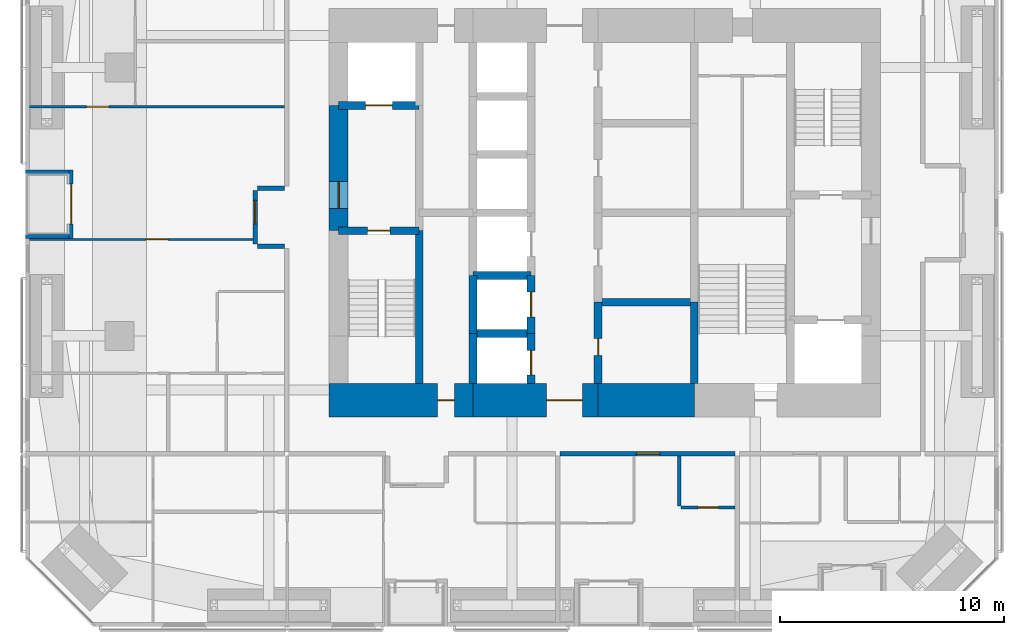
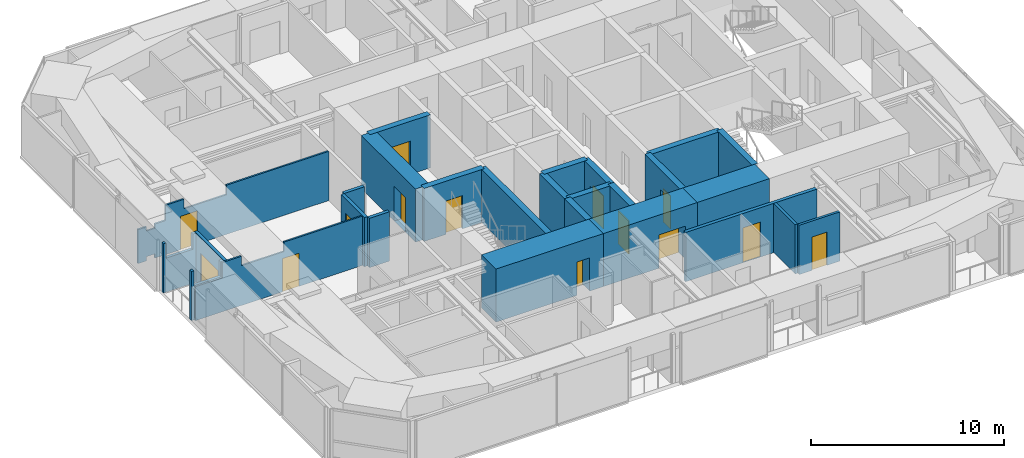
# One storey, part 18 of 24: 27 walls, 14 doors, 14 openings.
"""IFC4 building model written with IfcOpenShell, lengths in metres."""

import ifcopenshell
import ifcopenshell.guid

model = None  # the IFC model being written
_history = None  # IfcOwnerHistory: only IFC2X3 demands one
_inside = {}  # id of a spatial element -> (the spatial element, [elements in it])
_under = {}  # id of a project, library or spatial element -> (it, [spatial elements below it])
_declared = {}  # id of a project -> (the project, [libraries it declares])
_typed = {}  # id of a type object -> (the type object, [elements of that type])
_made_of = {}  # id of a material, layer set ... -> (it, [elements and type objects made of it])


def new_model(schema):
    """Start an empty IFC model of exactly this schema.

    Asked for "IFC4X3", IfcOpenShell would pick the latest addendum, in which some entities
    have other attributes; the version numbers below select the first issue.
    IFC2X3 requires an IfcOwnerHistory on every rooted entity: one is made here for all.
    """
    global model, _history
    if schema == "IFC4X3":
        model = ifcopenshell.file(schema_version=(4, 3, 0, 0))
    else:
        model = ifcopenshell.file(schema=schema)
    _inside.clear()
    _under.clear()
    _declared.clear()
    _typed.clear()
    _made_of.clear()
    _history = None
    if model.schema == "IFC2X3":
        org = make("IfcOrganization", Name="unknown")
        user = make(
            "IfcPersonAndOrganization",
            ThePerson=make("IfcPerson", FamilyName="unknown"),
            TheOrganization=org,
        )
        app = make(
            "IfcApplication",
            ApplicationDeveloper=org,
            Version="unknown",
            ApplicationFullName="unknown",
            ApplicationIdentifier="unknown",
        )
        _history = make(
            "IfcOwnerHistory",
            OwningUser=user,
            OwningApplication=app,
            ChangeAction="ADDED",
            CreationDate=0,
        )
    return model


def make(cls, **values):
    """One entity of the class cls with the attributes given. An attribute that is None is left unset."""
    return model.create_entity(
        cls, **{name: value for name, value in values.items() if value is not None}
    )


def rooted(cls, **values):
    """An entity with a GlobalId (a new one), such as an element, a storey or a relation."""
    return make(cls, GlobalId=ifcopenshell.guid.new(), OwnerHistory=_history, **values)


def si_unit(unit_type, name, prefix=None):
    """IfcSIUnit, for example si_unit("LENGTHUNIT", "METRE", prefix="MILLI")."""
    return make("IfcSIUnit", UnitType=unit_type, Prefix=prefix, Name=name)


def assignment(units):
    """IfcUnitAssignment: the units of a project."""
    return None if units is None else make("IfcUnitAssignment", Units=units)


def point(xyz):
    """IfcCartesianPoint."""
    return None if xyz is None else make("IfcCartesianPoint", Coordinates=xyz)


def direction(xyz):
    """IfcDirection."""
    return None if xyz is None else make("IfcDirection", DirectionRatios=xyz)


def frame(location, z_axis=None, x_axis=None):
    """IfcAxis2Placement3D, a coordinate frame: its origin and axes. An axis left out is left unset."""
    return make(
        "IfcAxis2Placement3D",
        Location=point(location),
        Axis=direction(z_axis),
        RefDirection=direction(x_axis),
    )


def frame_2d(location, x_axis=None):
    """IfcAxis2Placement2D, a coordinate frame in the plane: its origin and x axis."""
    return make(
        "IfcAxis2Placement2D", Location=point(location), RefDirection=direction(x_axis)
    )


def origin():
    """The frame at (0, 0, 0) with its axes left unset."""
    return frame((0.0, 0.0, 0.0))


def place(relative_to, where):
    """IfcLocalPlacement: puts the frame where relative to a parent placement (None: the world)."""
    return make(
        "IfcLocalPlacement", PlacementRelTo=relative_to, RelativePlacement=where
    )


def context(
    kind, dimensions, precision=None, world=None, true_north=None, identifier=None
):
    """IfcGeometricRepresentationContext, for example the 3D "Model" context."""
    return make(
        "IfcGeometricRepresentationContext",
        ContextIdentifier=identifier,
        ContextType=kind,
        CoordinateSpaceDimension=dimensions,
        Precision=precision,
        WorldCoordinateSystem=world,
        TrueNorth=true_north,
    )


def subcontext(parent, identifier, kind, view, scale=None):
    """IfcGeometricRepresentationSubContext, for example "Body" below "Model"."""
    return make(
        "IfcGeometricRepresentationSubContext",
        ContextIdentifier=identifier,
        ContextType=kind,
        ParentContext=parent,
        TargetScale=scale,
        TargetView=view,
    )


def project(units=None, contexts=None):
    """IfcProject with its units and contexts."""
    return rooted(
        "IfcProject",
        Name="project",
        RepresentationContexts=contexts,
        UnitsInContext=assignment(units),
    )


def spatial(cls, under=None, at=None, **own):
    """A site, building, storey or space (cls), placed at a placement, below another one or the project."""
    s = rooted(cls, ObjectPlacement=at, **own)
    if under is not None:
        _under.setdefault(under.id(), (under, []))[1].append(s)
    return s


def polyline(points):
    """IfcPolyline through the points."""
    return make("IfcPolyline", Points=[point(p) for p in points])


def profile(cls, at=None, kind="AREA", **sizes):
    """A parametric profile (cls). Its sizes go by their IFC names, for example OverallWidth=200.0."""
    return make(cls, ProfileType=kind, Position=at, **sizes)


def rectangle(**sizes):
    """IfcRectangleProfileDef."""
    return profile("IfcRectangleProfileDef", **sizes)


def outline(outer, holes=None, kind="AREA"):
    """IfcArbitraryClosedProfileDef: a profile drawn as a closed curve; with holes, ...WithVoids."""
    if holes is None:
        return make("IfcArbitraryClosedProfileDef", ProfileType=kind, OuterCurve=outer)
    return make(
        "IfcArbitraryProfileDefWithVoids",
        ProfileType=kind,
        OuterCurve=outer,
        InnerCurves=holes,
    )


def extrude(swept, where, along, depth):
    """IfcExtrudedAreaSolid: the profile swept, set in the frame where, extruded along a direction by depth."""
    return make(
        "IfcExtrudedAreaSolid",
        SweptArea=swept,
        Position=where,
        ExtrudedDirection=direction(along),
        Depth=depth,
    )


def shape(context_of_items, identifier, shape_type, items):
    """IfcShapeRepresentation: the items that make up one representation, for example the "Body"."""
    return make(
        "IfcShapeRepresentation",
        ContextOfItems=context_of_items,
        RepresentationIdentifier=identifier,
        RepresentationType=shape_type,
        Items=items,
    )


def material(Name=None, Category=None):
    """IfcMaterial."""
    return make("IfcMaterial", Name=Name, Category=Category)


def layer(
    of_material, thickness, ventilated=None, Name=None, Category=None, Priority=None
):
    """IfcMaterialLayer: one layer of a wall or slab, of a material (None: an air gap)."""
    return make(
        "IfcMaterialLayer",
        Material=of_material,
        LayerThickness=thickness,
        IsVentilated=ventilated,
        Name=Name,
        Category=Category,
        Priority=Priority,
    )


def layer_set(layers, Name=None):
    """IfcMaterialLayerSet."""
    return make("IfcMaterialLayerSet", MaterialLayers=layers, LayerSetName=Name)


def constituent(of_material, Name=None, Category=None, fraction=None):
    """IfcMaterialConstituent: one of the materials an element consists of."""
    return make(
        "IfcMaterialConstituent",
        Name=Name,
        Material=of_material,
        Fraction=fraction,
        Category=Category,
    )


def constituent_set(constituents=None, Name=None):
    """IfcMaterialConstituentSet."""
    return make(
        "IfcMaterialConstituentSet", Name=Name, MaterialConstituents=constituents
    )


def made_of(thing, what):
    """Note that an element or type object is made of a material, layer set ...; save() writes the relation."""
    if what is not None:
        _made_of.setdefault(what.id(), (what, []))[1].append(thing)
    return thing


def type_object(cls, material=None, **own):
    """A type object (cls), such as IfcWallType, which elements share."""
    return made_of(rooted(cls, **own), material)


def element(
    cls,
    number,
    at=None,
    inside=None,
    cuts=None,
    type_object=None,
    material=None,
    context=None,
    identifier="Body",
    shape_type=None,
    held_by="IfcProductDefinitionShape",
    body=None,
    shapes=None,
    **own,
):
    """One element of the class cls, such as IfcWall. Its Tag is "e" and its number.

    at: its placement. inside: the storey or other place that contains it. cuts: it is an
    opening in that element (IfcRelVoidsElement). A single representation is given by context,
    identifier, shape_type and body (its items); several are given by shapes. held_by: the class
    of the entity that holds the representations. save() writes the other relations.
    """
    e = rooted(cls, Tag="e%d" % number, ObjectPlacement=at, **own)
    if body is not None:
        shapes = [shape(context, identifier, shape_type, body)]
    if shapes is not None:
        e.Representation = make(held_by, Representations=shapes)
    if inside is not None:
        _inside.setdefault(inside.id(), (inside, []))[1].append(e)
    if cuts is not None:
        rooted(
            "IfcRelVoidsElement", RelatingBuildingElement=cuts, RelatedOpeningElement=e
        )
    if type_object is not None:
        _typed.setdefault(type_object.id(), (type_object, []))[1].append(e)
    return made_of(e, material)


def fill(opening, filler):
    """IfcRelFillsElement: the door or window that sits in an opening."""
    return rooted(
        "IfcRelFillsElement",
        RelatingOpeningElement=opening,
        RelatedBuildingElement=filler,
    )


def aggregate(whole, parts):
    """IfcRelAggregates: a whole, such as a stair, and the parts it consists of."""
    return rooted("IfcRelAggregates", RelatingObject=whole, RelatedObjects=parts)


def save(model, path):
    """Write the relations noted so far, then the file.

    IfcRelAggregates (storeys below a building ...), IfcRelContainedInSpatialStructure (elements
    in a storey), IfcRelDefinesByType, IfcRelAssociatesMaterial and IfcRelDeclares: one each for
    every whole, place, type object, material and project.
    """
    for whole, parts in _under.values():
        aggregate(whole, parts)
    for where, things in _inside.values():
        rooted(
            "IfcRelContainedInSpatialStructure",
            RelatedElements=things,
            RelatingStructure=where,
        )
    for kind, things in _typed.values():
        rooted("IfcRelDefinesByType", RelatedObjects=things, RelatingType=kind)
    for what, things in _made_of.values():
        rooted("IfcRelAssociatesMaterial", RelatedObjects=things, RelatingMaterial=what)
    for by, libraries in _declared.values():
        rooted("IfcRelDeclares", RelatingContext=by, RelatedDefinitions=libraries)
    model.write(path)


model = new_model("IFC4")

# Units and contexts
model_context = context("Model", 3, precision=1e-05, world=origin(), true_north=direction((0.0, 1.0)))
body_context = subcontext(model_context, "Body", "Model", "MODEL_VIEW")
ifc_project = project(units=[si_unit("LENGTHUNIT", "METRE"), si_unit("AREAUNIT", "SQUARE_METRE"), si_unit("VOLUMEUNIT", "CUBIC_METRE"), si_unit("PLANEANGLEUNIT", "RADIAN"), si_unit("MASSUNIT", "GRAM", prefix="KILO")], contexts=[model_context])

# Site, building, storey
site_placement = place(None, origin())
site = spatial("IfcSite", under=ifc_project, at=site_placement, CompositionType="ELEMENT")
building_placement = place(site_placement, origin())
building = spatial("IfcBuilding", under=site, at=building_placement, Name="Jalousie Tower", CompositionType="ELEMENT")
storey_placement = place(building_placement, frame((0.0, 0.0, 91.449951171875)))
storey = spatial("IfcBuildingStorey", under=building, at=storey_placement, Name="L24", CompositionType="ELEMENT", Elevation=91.449951171875)

# Wall, opening, door
ifc_material_1 = material(Name="Concrete block ASTM C90", Category="concrete")
ifc_constituent_1 = constituent(ifc_material_1, Name="Body")
ifc_material_2 = material(Name="Render")
ifc_constituent_2 = constituent(ifc_material_2, Name="Finish")
ifc_constituent_set_1 = constituent_set(constituents=[ifc_constituent_1, ifc_constituent_2])
wall_type_1 = type_object("IfcWallType", Name="BATHROOM WALL 150", PredefinedType="PLUMBINGWALL", material=ifc_constituent_set_1)
wall_1_placement = place(storey_placement, frame((35.300048828125, 5.324951171875, 0.0), z_axis=(0.0, 0.0, 1.0), x_axis=(1.0, 0.0, 0.0)))
wall_1 = element("IfcWall", 1, at=wall_1_placement, inside=storey, type_object=wall_type_1, Name="Bathroom Wall 150 L24", PredefinedType="PLUMBINGWALL", context=body_context, shape_type="SweptSolid", body=[
    extrude(rectangle(XDim=2.425048828125, YDim=0.14990234375, at=frame_2d((1.21240234375, 0.0))), origin(), (0.0, 0.0, 1.0), 3.110107421875),
])
opening_1_placement = place(wall_1_placement, frame((0.77490234375, 0.0, 0.0)))
opening_1 = element("IfcOpeningElement", 2, at=opening_1_placement, cuts=wall_1, Name="Opening D3", PredefinedType="OPENING", context=body_context, shape_type="SweptSolid", body=[
    extrude(rectangle(XDim=0.89990234375, YDim=2.10009765625, at=frame_2d((0.449951171875, 1.050048828125))), frame((0.0, 0.0849609375, 0.0), z_axis=(0.0, -1.0, 0.0), x_axis=(1.0, 0.0, 0.0)), (0.0, 0.0, 1.0), 0.169921875),
])
ifc_material_3 = material(Name="Timber door", Category="wood")
door_type_1 = type_object("IfcDoorType", Name="BATHROOM DOOR 900", OperationType="SINGLE_SWING_LEFT", PredefinedType="DOOR", material=ifc_material_3)
door_1_placement = place(opening_1_placement, origin())
door_1 = element("IfcDoor", 3, at=door_1_placement, inside=storey, type_object=door_type_1, Name="Apartment 2402 bathroom door", OperationType="SINGLE_SWING_RIGHT", OverallHeight=2.10009765625, OverallWidth=0.89990234375, PredefinedType="DOOR", context=body_context, shape_type="SweptSolid", body=[
    extrude(rectangle(XDim=0.89990234375, YDim=2.10009765625, at=frame_2d((0.449951171875, 1.050048828125))), frame((0.0, 0.02490234375, 0.0), z_axis=(0.0, -1.0, 0.0), x_axis=(1.0, 0.0, 0.0)), (0.0, 0.0, 1.0), 0.050048828125),
])
fill(opening_1, door_1)

# Wall
wall_2_placement = place(storey_placement, frame((35.22509765625, 5.39990234375, 0.0), z_axis=(0.0, 0.0, 1.0), x_axis=(0.0, 1.0, 0.0)))
element("IfcWall", 4, at=wall_2_placement, inside=storey, type_object=wall_type_1, Name="Bathroom Wall 150 L24", PredefinedType="PLUMBINGWALL", context=body_context, shape_type="SweptSolid", body=[
    extrude(rectangle(XDim=2.22509765625, YDim=0.14990234375, at=frame_2d((1.112548828125, 0.0))), origin(), (0.0, 0.0, 1.0), 3.110107421875),
])

# Wall, opening, door
ifc_material_4 = material(Name="Concrete f'c 120 MPa", Category="concrete")
ifc_layer_1 = layer(ifc_material_4, 1.5)
ifc_layer_set_1 = layer_set([ifc_layer_1], Name="Concrete f'c 120 MPa")
wall_type_2 = type_object("IfcWallType", Name="CORE WALL 1500", PredefinedType="SHEAR", material=ifc_layer_set_1)
wall_3_placement = place(storey_placement, frame((19.574951171875, 10.125, 0.0), z_axis=(0.0, 0.0, 1.0), x_axis=(1.0, 0.0, 0.0)))
wall_3 = element("IfcWall", 5, at=wall_3_placement, inside=storey, type_object=wall_type_2, Name="Core wall SA L24", PredefinedType="SHEAR", context=body_context, shape_type="SweptSolid", body=[
    extrude(rectangle(XDim=6.425048828125, YDim=1.5, at=frame_2d((3.21240234375, 0.0))), origin(), (0.0, 0.0, 1.0), 3.35009765625),
])
opening_2_placement = place(wall_3_placement, frame((4.85009765625, 0.0, 0.0)))
opening_2 = element("IfcOpeningElement", 6, at=opening_2_placement, cuts=wall_3, Name="Opening D16", PredefinedType="OPENING", context=body_context, shape_type="SweptSolid", body=[
    extrude(rectangle(XDim=0.75, YDim=2.10009765625, at=frame_2d((0.375, 1.050048828125))), frame((0.0, 0.760009765625, 0.0), z_axis=(0.0, -1.0, 0.0), x_axis=(1.0, 0.0, 0.0)), (0.0, 0.0, 1.0), 1.52001953125),
])
ifc_material_5 = material(Name="Steel fire door", Category="steel")
door_type_2 = type_object("IfcDoorType", Name="RISER DOOR 750", OperationType="SINGLE_SWING_LEFT", PredefinedType="DOOR", material=ifc_material_5)
door_2_placement = place(opening_2_placement, origin())
door_2 = element("IfcDoor", 7, at=door_2_placement, inside=storey, type_object=door_type_2, Name="South riser door", OperationType="SINGLE_SWING_LEFT", OverallHeight=2.10009765625, OverallWidth=0.75, PredefinedType="DOOR", context=body_context, shape_type="SweptSolid", body=[
    extrude(rectangle(XDim=0.75, YDim=2.10009765625, at=frame_2d((0.375, 1.050048828125))), frame((0.0, 0.02490234375, 0.0), z_axis=(0.0, -1.0, 0.0), x_axis=(1.0, 0.0, 0.0)), (0.0, 0.0, 1.0), 0.050048828125),
])
fill(opening_2, door_2)

wall_4_placement = place(storey_placement, frame((26.0, 10.125, 0.0), z_axis=(0.0, 0.0, 1.0), x_axis=(1.0, 0.0, 0.0)))
wall_4 = element("IfcWall", 8, at=wall_4_placement, inside=storey, type_object=wall_type_2, Name="Core wall SB L24", PredefinedType="SHEAR", context=body_context, shape_type="SweptSolid", body=[
    extrude(rectangle(XDim=5.60009765625, YDim=1.5, at=frame_2d((2.800048828125, 0.0))), origin(), (0.0, 0.0, 1.0), 3.35009765625),
])
opening_3_placement = place(wall_4_placement, frame((3.300048828125, 0.0, 0.0)))
opening_3 = element("IfcOpeningElement", 9, at=opening_3_placement, cuts=wall_4, Name="Opening D15", PredefinedType="OPENING", context=body_context, shape_type="SweptSolid", body=[
    extrude(rectangle(XDim=1.60009765625, YDim=2.10009765625, at=frame_2d((0.800048828125, 1.050048828125))), frame((0.0, 0.760009765625, 0.0), z_axis=(0.0, -1.0, 0.0), x_axis=(1.0, 0.0, 0.0)), (0.0, 0.0, 1.0), 1.52001953125),
])
ifc_material_6 = material(Name="Steel fire door", Category="steel")
door_type_3 = type_object("IfcDoorType", Name="LIFT LOBBY DOOR 1600", OperationType="DOUBLE_DOOR_SINGLE_SWING", PredefinedType="DOOR", material=ifc_material_6)
door_3_placement = place(opening_3_placement, origin())
door_3 = element("IfcDoor", 10, at=door_3_placement, inside=storey, type_object=door_type_3, Name="Lift lobby south door", OperationType="DOUBLE_DOOR_SINGLE_SWING", OverallHeight=2.10009765625, OverallWidth=1.60009765625, PredefinedType="DOOR", context=body_context, shape_type="SweptSolid", body=[
    extrude(rectangle(XDim=1.60009765625, YDim=2.10009765625, at=frame_2d((0.800048828125, 1.050048828125))), frame((0.0, 0.02490234375, 0.0), z_axis=(0.0, -1.0, 0.0), x_axis=(1.0, 0.0, 0.0)), (0.0, 0.0, 1.0), 0.050048828125),
])
fill(opening_3, door_3)

# Walls
wall_5_placement = place(storey_placement, frame((31.60009765625, 10.125, 0.0), z_axis=(0.0, 0.0, 1.0), x_axis=(1.0, 0.0, 0.0)))
element("IfcWall", 11, at=wall_5_placement, inside=storey, type_object=wall_type_2, Name="Core wall SC L24", PredefinedType="SHEAR", context=body_context, shape_type="SweptSolid", body=[
    extrude(rectangle(XDim=4.2998046875, YDim=1.5, at=frame_2d((2.14990234375, 0.0))), origin(), (0.0, 0.0, 1.0), 3.35009765625),
])
ifc_material_7 = material(Name="Concrete f'c 120 MPa", Category="concrete")
ifc_layer_2 = layer(ifc_material_7, 0.35009765625)
ifc_layer_set_2 = layer_set([ifc_layer_2], Name="Concrete f'c 120 MPa")
wall_type_3 = type_object("IfcWallType", Name="CORE WALL 350", PredefinedType="SHEAR", material=ifc_layer_set_2)
wall_6_placement = place(storey_placement, frame((23.60009765625, 10.875, 0.0), z_axis=(0.0, 0.0, 1.0), x_axis=(0.0, 1.0, 0.0)))
element("IfcWall", 12, at=wall_6_placement, inside=storey, type_object=wall_type_3, Name="Core wall X23.6A L24", PredefinedType="SHEAR", context=body_context, shape_type="SweptSolid", body=[
    extrude(rectangle(XDim=6.824951171875, YDim=0.35009765625, at=frame_2d((3.41259765625, 0.0))), origin(), (0.0, 0.0, 1.0), 3.35009765625),
])
wall_7_placement = place(storey_placement, frame((26.0, 10.875, 0.0), z_axis=(0.0, 0.0, 1.0), x_axis=(0.0, 1.0, 0.0)))
element("IfcWall", 13, at=wall_7_placement, inside=storey, type_object=wall_type_3, Name="Core wall X26A L24", PredefinedType="SHEAR", context=body_context, shape_type="SweptSolid", body=[
    extrude(rectangle(XDim=2.22509765625, YDim=0.35009765625, at=frame_2d((1.112548828125, 0.0))), origin(), (0.0, 0.0, 1.0), 3.35009765625),
])
wall_8_placement = place(storey_placement, frame((26.0, 13.10009765625, 0.0), z_axis=(0.0, 0.0, 1.0), x_axis=(0.0, 1.0, 0.0)))
element("IfcWall", 14, at=wall_8_placement, inside=storey, type_object=wall_type_3, Name="Core wall X26B L24", PredefinedType="SHEAR", context=body_context, shape_type="SweptSolid", body=[
    extrude(rectangle(XDim=2.599853515625, YDim=0.35009765625, at=frame_2d((1.2998046875, 0.0))), origin(), (0.0, 0.0, 1.0), 3.35009765625),
])

# Wall, opening, door
wall_9_placement = place(storey_placement, frame((28.60009765625, 10.875, 0.0), z_axis=(0.0, 0.0, 1.0), x_axis=(0.0, 1.0, 0.0)))
wall_9 = element("IfcWall", 15, at=wall_9_placement, inside=storey, type_object=wall_type_3, Name="Core wall X28.6A L24", PredefinedType="SHEAR", context=body_context, shape_type="SweptSolid", body=[
    extrude(rectangle(XDim=2.22509765625, YDim=0.35009765625, at=frame_2d((1.112548828125, 0.0))), origin(), (0.0, 0.0, 1.0), 3.35009765625),
])
opening_4_placement = place(wall_9_placement, frame((0.375, 0.0, 0.0)))
opening_4 = element("IfcOpeningElement", 16, at=opening_4_placement, cuts=wall_9, Name="Opening LD1", PredefinedType="OPENING", context=body_context, shape_type="SweptSolid", body=[
    extrude(rectangle(XDim=1.10009765625, YDim=2.10009765625, at=frame_2d((0.550048828125, 1.050048828125))), frame((0.0, 0.18505859375, 0.0), z_axis=(0.0, -1.0, 0.0), x_axis=(1.0, 0.0, 0.0)), (0.0, 0.0, 1.0), 0.3701171875),
])
ifc_material_8 = material(Name="Steel lift landing door", Category="steel")
door_type_4 = type_object("IfcDoorType", Name="LIFT LANDING DOOR 1100", OperationType="SLIDING_TO_LEFT", PredefinedType="DOOR", material=ifc_material_8)
door_4_placement = place(opening_4_placement, origin())
door_4 = element("IfcDoor", 17, at=door_4_placement, inside=storey, type_object=door_type_4, Name="Lift P1 landing door", OperationType="SLIDING_TO_LEFT", OverallHeight=2.10009765625, OverallWidth=1.10009765625, PredefinedType="DOOR", context=body_context, shape_type="SweptSolid", body=[
    extrude(rectangle(XDim=1.10009765625, YDim=2.10009765625, at=frame_2d((0.550048828125, 1.050048828125))), frame((0.0, 0.02490234375, 0.0), z_axis=(0.0, -1.0, 0.0), x_axis=(1.0, 0.0, 0.0)), (0.0, 0.0, 1.0), 0.050048828125),
])
fill(opening_4, door_4)

wall_10_placement = place(storey_placement, frame((28.60009765625, 13.10009765625, 0.0), z_axis=(0.0, 0.0, 1.0), x_axis=(0.0, 1.0, 0.0)))
wall_10 = element("IfcWall", 18, at=wall_10_placement, inside=storey, type_object=wall_type_3, Name="Core wall X28.6B L24", PredefinedType="SHEAR", context=body_context, shape_type="SweptSolid", body=[
    extrude(rectangle(XDim=2.599853515625, YDim=0.35009765625, at=frame_2d((1.2998046875, 0.0))), origin(), (0.0, 0.0, 1.0), 3.35009765625),
])
opening_5_placement = place(wall_10_placement, frame((0.75, 0.0, 0.0)))
opening_5 = element("IfcOpeningElement", 19, at=opening_5_placement, cuts=wall_10, Name="Opening LD1", PredefinedType="OPENING", context=body_context, shape_type="SweptSolid", body=[
    extrude(rectangle(XDim=1.10009765625, YDim=2.10009765625, at=frame_2d((0.550048828125, 1.050048828125))), frame((0.0, 0.18505859375, 0.0), z_axis=(0.0, -1.0, 0.0), x_axis=(1.0, 0.0, 0.0)), (0.0, 0.0, 1.0), 0.3701171875),
])
door_5_placement = place(opening_5_placement, origin())
door_5 = element("IfcDoor", 20, at=door_5_placement, inside=storey, type_object=door_type_4, Name="Lift P2 landing door", OperationType="SLIDING_TO_LEFT", OverallHeight=2.10009765625, OverallWidth=1.10009765625, PredefinedType="DOOR", context=body_context, shape_type="SweptSolid", body=[
    extrude(rectangle(XDim=1.10009765625, YDim=2.10009765625, at=frame_2d((0.550048828125, 1.050048828125))), frame((0.0, 0.02490234375, 0.0), z_axis=(0.0, -1.0, 0.0), x_axis=(1.0, 0.0, 0.0)), (0.0, 0.0, 1.0), 0.050048828125),
])
fill(opening_5, door_5)

wall_11_placement = place(storey_placement, frame((31.60009765625, 10.875, 0.0), z_axis=(0.0, 0.0, 1.0), x_axis=(0.0, 1.0, 0.0)))
wall_11 = element("IfcWall", 21, at=wall_11_placement, inside=storey, type_object=wall_type_3, Name="Core wall X31.6A L24", PredefinedType="SHEAR", context=body_context, shape_type="SweptSolid", body=[
    extrude(rectangle(XDim=3.625, YDim=0.35009765625, at=frame_2d((1.8125, 0.0))), origin(), (0.0, 0.0, 1.0), 3.35009765625),
])
opening_6_placement = place(wall_11_placement, frame((1.25, 0.0, 0.0)))
opening_6 = element("IfcOpeningElement", 22, at=opening_6_placement, cuts=wall_11, Name="Opening D16", PredefinedType="OPENING", context=body_context, shape_type="SweptSolid", body=[
    extrude(rectangle(XDim=0.75, YDim=2.10009765625, at=frame_2d((0.375, 1.050048828125))), frame((0.0, 0.18505859375, 0.0), z_axis=(0.0, -1.0, 0.0), x_axis=(1.0, 0.0, 0.0)), (0.0, 0.0, 1.0), 0.3701171875),
])
door_6_placement = place(opening_6_placement, frame((0.75, 0.0, 0.0), z_axis=(0.0, 0.0, 1.0), x_axis=(-1.0, 0.0, 0.0)))
door_6 = element("IfcDoor", 23, at=door_6_placement, inside=storey, type_object=door_type_2, Name="Refuse Room door", OperationType="SINGLE_SWING_RIGHT", OverallHeight=2.10009765625, OverallWidth=0.75, PredefinedType="DOOR", context=body_context, shape_type="SweptSolid", body=[
    extrude(rectangle(XDim=0.75, YDim=2.10009765625, at=frame_2d((0.375, 1.050048828125))), frame((0.0, 0.02490234375, 0.0), z_axis=(0.0, -1.0, 0.0), x_axis=(1.0, 0.0, 0.0)), (0.0, 0.0, 1.0), 0.050048828125),
])
fill(opening_6, door_6)

# Wall
wall_12_placement = place(storey_placement, frame((35.89990234375, 10.875, 0.0), z_axis=(0.0, 0.0, 1.0), x_axis=(0.0, 1.0, 0.0)))
element("IfcWall", 24, at=wall_12_placement, inside=storey, type_object=wall_type_3, Name="Core wall X35.9A L24", PredefinedType="SHEAR", context=body_context, shape_type="SweptSolid", body=[
    extrude(rectangle(XDim=3.625, YDim=0.35009765625, at=frame_2d((1.8125, 0.0))), origin(), (0.0, 0.0, 1.0), 3.35009765625),
])

# Wall, opening, door
wall_13_placement = place(storey_placement, frame((20.0, 17.699951171875, 0.0), z_axis=(0.0, 0.0, 1.0), x_axis=(1.0, 0.0, 0.0)))
wall_13 = element("IfcWall", 25, at=wall_13_placement, inside=storey, type_object=wall_type_3, Name="Core wall Y20-17.7 L24", PredefinedType="SHEAR", context=body_context, shape_type="SweptSolid", body=[
    extrude(rectangle(XDim=3.60009765625, YDim=0.35009765625, at=frame_2d((1.800048828125, 0.0))), origin(), (0.0, 0.0, 1.0), 3.35009765625),
])
opening_7_placement = place(wall_13_placement, frame((1.300048828125, 0.0, 0.0)))
opening_7 = element("IfcOpeningElement", 26, at=opening_7_placement, cuts=wall_13, Name="Opening D10", PredefinedType="OPENING", context=body_context, shape_type="SweptSolid", body=[
    extrude(rectangle(XDim=1.0, YDim=2.10009765625, at=frame_2d((0.5, 1.050048828125))), frame((0.0, 0.18505859375, 0.0), z_axis=(0.0, -1.0, 0.0), x_axis=(1.0, 0.0, 0.0)), (0.0, 0.0, 1.0), 0.3701171875),
])
ifc_material_9 = material(Name="Steel fire door", Category="steel")
door_type_5 = type_object("IfcDoorType", Name="STAIR DOOR 1000", OperationType="SINGLE_SWING_LEFT", PredefinedType="DOOR", material=ifc_material_9)
door_7_placement = place(opening_7_placement, frame((1.0, 0.0, 0.0), z_axis=(0.0, 0.0, 1.0), x_axis=(-1.0, 0.0, 0.0)))
door_7 = element("IfcDoor", 27, at=door_7_placement, inside=storey, type_object=door_type_5, Name="Exit stair A door", OperationType="SINGLE_SWING_RIGHT", OverallHeight=2.10009765625, OverallWidth=1.0, PredefinedType="DOOR", context=body_context, shape_type="SweptSolid", body=[
    extrude(rectangle(XDim=1.0, YDim=2.10009765625, at=frame_2d((0.5, 1.050048828125))), frame((0.0, 0.02490234375, 0.0), z_axis=(0.0, -1.0, 0.0), x_axis=(1.0, 0.0, 0.0)), (0.0, 0.0, 1.0), 0.050048828125),
])
fill(opening_7, door_7)

wall_14_placement = place(storey_placement, frame((20.0, 23.300048828125, 0.0), z_axis=(0.0, 0.0, 1.0), x_axis=(1.0, 0.0, 0.0)))
wall_14 = element("IfcWall", 28, at=wall_14_placement, inside=storey, type_object=wall_type_3, Name="Core wall Y20-23.3 L24", PredefinedType="SHEAR", context=body_context, shape_type="SweptSolid", body=[
    extrude(rectangle(XDim=3.60009765625, YDim=0.35009765625, at=frame_2d((1.800048828125, 0.0))), origin(), (0.0, 0.0, 1.0), 3.35009765625),
])
opening_8_placement = place(wall_14_placement, frame((1.199951171875, 0.0, 0.0)))
opening_8 = element("IfcOpeningElement", 29, at=opening_8_placement, cuts=wall_14, Name="Opening LD2", PredefinedType="OPENING", context=body_context, shape_type="SweptSolid", body=[
    extrude(rectangle(XDim=1.199951171875, YDim=2.10009765625, at=frame_2d((0.60009765625, 1.050048828125))), frame((0.0, 0.18505859375, 0.0), z_axis=(0.0, -1.0, 0.0), x_axis=(1.0, 0.0, 0.0)), (0.0, 0.0, 1.0), 0.3701171875),
])
ifc_material_10 = material(Name="Steel lift landing door", Category="steel")
door_type_6 = type_object("IfcDoorType", Name="LIFT LANDING DOOR 1200", OperationType="SLIDING_TO_LEFT", PredefinedType="DOOR", material=ifc_material_10)
door_8_placement = place(opening_8_placement, origin())
door_8 = element("IfcDoor", 30, at=door_8_placement, inside=storey, type_object=door_type_6, Name="Lift F1 landing door", OperationType="SLIDING_TO_LEFT", OverallHeight=2.10009765625, OverallWidth=1.199951171875, PredefinedType="DOOR", context=body_context, shape_type="SweptSolid", body=[
    extrude(rectangle(XDim=1.199951171875, YDim=2.10009765625, at=frame_2d((0.60009765625, 1.050048828125))), frame((0.0, 0.02490234375, 0.0), z_axis=(0.0, -1.0, 0.0), x_axis=(1.0, 0.0, 0.0)), (0.0, 0.0, 1.0), 0.050048828125),
])
fill(opening_8, door_8)

# Walls
for number, where, z_axis, x_axis, name in (
    (31, (26.0, 13.10009765625, 0.0), (0.0, 0.0, 1.0), (1.0, 0.0, 0.0), "Core wall Y26-13.1 L24"),
    (32, (26.0, 15.699951171875, 0.0), (0.0, 0.0, 1.0), (1.0, 0.0, 0.0), "Core wall Y26-15.7 L24"),
):
    element("IfcWall", number, at=place(storey_placement, frame(where, z_axis=z_axis, x_axis=x_axis)), inside=storey, type_object=wall_type_3, Name=name, PredefinedType="SHEAR", context=body_context, shape_type="SweptSolid", body=[
        extrude(rectangle(XDim=2.60009765625, YDim=0.35009765625, at=frame_2d((1.300048828125, 0.0))), origin(), (0.0, 0.0, 1.0), 3.35009765625),
    ])
wall_15_placement = place(storey_placement, frame((31.60009765625, 14.5, 0.0), z_axis=(0.0, 0.0, 1.0), x_axis=(1.0, 0.0, 0.0)))
element("IfcWall", 33, at=wall_15_placement, inside=storey, type_object=wall_type_3, Name="Core wall Y31.6-14.5 L24", PredefinedType="SHEAR", context=body_context, shape_type="SweptSolid", body=[
    extrude(rectangle(XDim=4.2998046875, YDim=0.35009765625, at=frame_2d((2.14990234375, 0.0))), origin(), (0.0, 0.0, 1.0), 3.35009765625),
])

# Wall, opening, door
ifc_material_11 = material(Name="Concrete f'c 120 MPa", Category="concrete")
ifc_layer_3 = layer(ifc_material_11, 0.85009765625)
ifc_layer_set_3 = layer_set([ifc_layer_3], Name="Concrete f'c 120 MPa")
wall_type_4 = type_object("IfcWallType", Name="CORE WALL 850", PredefinedType="SHEAR", material=ifc_layer_set_3)
wall_16_placement = place(storey_placement, frame((20.0, 23.300048828125, 0.0), z_axis=(0.0, 0.0, 1.0), x_axis=(0.0, -1.0, 0.0)))
wall_16 = element("IfcWall", 34, at=wall_16_placement, inside=storey, type_object=wall_type_4, Name="Core wall WB L24", PredefinedType="SHEAR", context=body_context, shape_type="SweptSolid", body=[
    extrude(rectangle(XDim=5.60009765625, YDim=0.85009765625, at=frame_2d((2.800048828125, 0.0))), origin(), (0.0, 0.0, 1.0), 3.35009765625),
])
opening_9_placement = place(wall_16_placement, frame((3.39990234375, 0.0, 0.0)))
opening_9 = element("IfcOpeningElement", 35, at=opening_9_placement, cuts=wall_16, Name="Opening D11", PredefinedType="OPENING", context=body_context, shape_type="SweptSolid", body=[
    extrude(rectangle(XDim=1.199951171875, YDim=2.199951171875, at=frame_2d((0.60009765625, 1.10009765625))), frame((0.0, 0.43505859375, 0.0), z_axis=(0.0, -1.0, 0.0), x_axis=(1.0, 0.0, 0.0)), (0.0, 0.0, 1.0), 0.8701171875),
])
ifc_material_12 = material(Name="Steel fire door", Category="steel")
door_type_7 = type_object("IfcDoorType", Name="FIRE DOOR 1200", OperationType="SINGLE_SWING_LEFT", PredefinedType="DOOR", material=ifc_material_12)
door_9_placement = place(opening_9_placement, origin())
door_9 = element("IfcDoor", 36, at=door_9_placement, inside=storey, type_object=door_type_7, Name="Fire-fighting lobby A door", OperationType="SINGLE_SWING_RIGHT", OverallHeight=2.199951171875, OverallWidth=1.199951171875, PredefinedType="DOOR", context=body_context, shape_type="SweptSolid", body=[
    extrude(rectangle(XDim=1.199951171875, YDim=2.199951171875, at=frame_2d((0.60009765625, 1.10009765625))), frame((0.0, 0.02490234375, 0.0), z_axis=(0.0, -1.0, 0.0), x_axis=(1.0, 0.0, 0.0)), (0.0, 0.0, 1.0), 0.050048828125),
])
fill(opening_9, door_9)

ifc_material_13 = material(Name="Concrete block ASTM C90", Category="concrete")
ifc_constituent_3 = constituent(ifc_material_13, Name="Body")
ifc_material_14 = material(Name="Render")
ifc_constituent_4 = constituent(ifc_material_14, Name="Finish")
ifc_constituent_set_2 = constituent_set(constituents=[ifc_constituent_3, ifc_constituent_4])
wall_type_5 = type_object("IfcWallType", Name="CORRIDOR WALL 200", PredefinedType="PARTITIONING", material=ifc_constituent_set_2)
wall_17_placement = place(storey_placement, frame((29.89990234375, 7.72509765625, 0.0), z_axis=(0.0, 0.0, 1.0), x_axis=(1.0, 0.0, 0.0)))
wall_17 = element("IfcWall", 37, at=wall_17_placement, inside=storey, type_object=wall_type_5, Name="Corridor Wall 200 L24", PredefinedType="PARTITIONING", context=body_context, shape_type="SweptSolid", body=[
    extrude(rectangle(XDim=7.8251953125, YDim=0.199951171875, at=frame_2d((3.91259765625, 0.0))), origin(), (0.0, 0.0, 1.0), 3.110107421875),
])
opening_10_placement = place(wall_17_placement, frame((3.41259765625, 0.0, 0.0)))
opening_10 = element("IfcOpeningElement", 38, at=opening_10_placement, cuts=wall_17, Name="Opening D1", PredefinedType="OPENING", context=body_context, shape_type="SweptSolid", body=[
    extrude(rectangle(XDim=1.050048828125, YDim=2.199951171875, at=frame_2d((0.52490234375, 1.10009765625))), frame((0.0, 0.10986328125, 0.0), z_axis=(0.0, -1.0, 0.0), x_axis=(1.0, 0.0, 0.0)), (0.0, 0.0, 1.0), 0.219970703125),
])
ifc_material_15 = material(Name="Timber fire door", Category="wood")
door_type_8 = type_object("IfcDoorType", Name="APARTMENT ENTRANCE DOOR 1050", OperationType="SINGLE_SWING_LEFT", PredefinedType="DOOR", material=ifc_material_15)
door_10_placement = place(opening_10_placement, frame((1.050048828125, 0.0, 0.0), z_axis=(0.0, 0.0, 1.0), x_axis=(-1.0, 0.0, 0.0)))
door_10 = element("IfcDoor", 39, at=door_10_placement, inside=storey, type_object=door_type_8, Name="Apartment 2402 entrance", OperationType="SINGLE_SWING_RIGHT", OverallHeight=2.199951171875, OverallWidth=1.050048828125, PredefinedType="DOOR", context=body_context, shape_type="SweptSolid", body=[
    extrude(rectangle(XDim=1.050048828125, YDim=2.199951171875, at=frame_2d((0.52490234375, 1.10009765625))), frame((0.0, 0.02490234375, 0.0), z_axis=(0.0, -1.0, 0.0), x_axis=(1.0, 0.0, 0.0)), (0.0, 0.0, 1.0), 0.050048828125),
])
fill(opening_10, door_10)

wall_18_placement = place(storey_placement, frame((16.27490234375, 17.10009765625, 0.0), z_axis=(0.0, 0.0, 1.0), x_axis=(0.0, 1.0, 0.0)))
wall_18 = element("IfcWall", 40, at=wall_18_placement, inside=storey, type_object=wall_type_5, Name="Corridor Wall 200 L24", PredefinedType="PARTITIONING", context=body_context, shape_type="SweptSolid", body=[
    extrude(rectangle(XDim=2.39990234375, YDim=0.199951171875, at=frame_2d((1.199951171875, 0.0))), origin(), (0.0, 0.0, 1.0), 3.110107421875),
])
opening_11_placement = place(wall_18_placement, frame((0.89990234375, 0.0, 0.0)))
opening_11 = element("IfcOpeningElement", 41, at=opening_11_placement, cuts=wall_18, Name="Opening D1", PredefinedType="OPENING", context=body_context, shape_type="SweptSolid", body=[
    extrude(rectangle(XDim=1.050048828125, YDim=2.199951171875, at=frame_2d((0.52490234375, 1.10009765625))), frame((0.0, 0.10986328125, 0.0), z_axis=(0.0, -1.0, 0.0), x_axis=(1.0, 0.0, 0.0)), (0.0, 0.0, 1.0), 0.219970703125),
])
door_11_placement = place(opening_11_placement, origin())
door_11 = element("IfcDoor", 42, at=door_11_placement, inside=storey, type_object=door_type_8, Name="Apartment 2407 entrance", OperationType="SINGLE_SWING_LEFT", OverallHeight=2.199951171875, OverallWidth=1.050048828125, PredefinedType="DOOR", context=body_context, shape_type="SweptSolid", body=[
    extrude(rectangle(XDim=1.050048828125, YDim=2.199951171875, at=frame_2d((0.52490234375, 1.10009765625))), frame((0.0, 0.02490234375, 0.0), z_axis=(0.0, -1.0, 0.0), x_axis=(1.0, 0.0, 0.0)), (0.0, 0.0, 1.0), 0.050048828125),
])
fill(opening_11, door_11)

# Walls
for number, where, z_axis, x_axis, name in (
    (43, (17.574951171875, 17.0, 0.0), (0.0, 0.0, 1.0), (-1.0, 0.0, 0.0), "Corridor Wall 200 L24"),
    (44, (17.574951171875, 19.60009765625, 0.0), (0.0, 0.0, 1.0), (-1.0, 0.0, 0.0), "Corridor Wall 200 L24"),
):
    element("IfcWall", number, at=place(storey_placement, frame(where, z_axis=z_axis, x_axis=x_axis)), inside=storey, type_object=wall_type_5, Name=name, PredefinedType="PARTITIONING", context=body_context, shape_type="SweptSolid", body=[
        extrude(rectangle(XDim=1.199951171875, YDim=0.199951171875, at=frame_2d((0.60009765625, 0.0))), origin(), (0.0, 0.0, 1.0), 3.110107421875),
    ])

# Wall, opening, door
ifc_material_16 = material(Name="Concrete f'c 40 MPa", Category="concrete")
ifc_constituent_5 = constituent(ifc_material_16, Name="Body")
ifc_material_17 = material(Name="Render, pastel sea green")
ifc_constituent_6 = constituent(ifc_material_17, Name="Finish")
ifc_constituent_set_3 = constituent_set(constituents=[ifc_constituent_5, ifc_constituent_6])
wall_type_6 = type_object("IfcWallType", Name="EXTERNAL WALL 175 SEA GREEN RENDER", PredefinedType="SOLIDWALL", material=ifc_constituent_set_3)
wall_19_placement = place(storey_placement, frame((8.03759765625, 20.416748046875, 0.0), z_axis=(0.0, 0.0, 1.0), x_axis=(0.0, -1.0, 0.0)))
wall_19 = element("IfcWall", 45, at=wall_19_placement, inside=storey, type_object=wall_type_6, Name="External Wall 175 Sea Green Render L24", PredefinedType="SOLIDWALL", context=body_context, shape_type="SweptSolid", body=[
    extrude(rectangle(XDim=3.058349609375, YDim=0.175048828125, at=frame_2d((1.529296875, 0.0))), origin(), (0.0, 0.0, 1.0), 3.110107421875),
])
opening_12_placement = place(wall_19_placement, frame((0.629150390625, 0.0, 0.0)))
opening_12 = element("IfcOpeningElement", 46, at=opening_12_placement, cuts=wall_19, Name="Opening D-BAL21", PredefinedType="OPENING", context=body_context, shape_type="SweptSolid", body=[
    extrude(rectangle(XDim=1.800048828125, YDim=2.10009765625, at=frame_2d((0.89990234375, 1.050048828125))), frame((0.0, 0.097412109375, 0.0), z_axis=(0.0, -1.0, 0.0), x_axis=(1.0, 0.0, 0.0)), (0.0, 0.0, 1.0), 0.195068359375),
])
ifc_material_18 = material(Name="Aluminium frame, impact-rated glazing", Category="aluminium")
door_type_9 = type_object("IfcDoorType", Name="BALCONY DOOR 1800x2100", OperationType="SLIDING_TO_LEFT", PredefinedType="DOOR", material=ifc_material_18)
door_12_placement = place(opening_12_placement, origin())
door_12 = element("IfcDoor", 47, at=door_12_placement, inside=storey, type_object=door_type_9, Name="Apartment 2407 living room loggia door", OperationType="SLIDING_TO_LEFT", OverallHeight=2.10009765625, OverallWidth=1.800048828125, PredefinedType="DOOR", context=body_context, shape_type="SweptSolid", body=[
    extrude(rectangle(XDim=1.800048828125, YDim=2.10009765625, at=frame_2d((0.89990234375, 1.050048828125))), frame((0.0, 0.02490234375, 0.0), z_axis=(0.0, -1.0, 0.0), x_axis=(1.0, 0.0, 0.0)), (0.0, 0.0, 1.0), 0.050048828125),
])
fill(opening_12, door_12)

# Walls
for number, where, z_axis, x_axis, name in (
    (48, (6.0, 20.3291015625, 0.0), (0.0, 0.0, 1.0), (1.0, 0.0, 0.0), "External Wall 175 Sea Green Render L24"),
    (49, (6.0, 17.44580078125, 0.0), (0.0, 0.0, 1.0), (1.0, 0.0, 0.0), "External Wall 175 Sea Green Render L24"),
):
    element("IfcWall", number, at=place(storey_placement, frame(where, z_axis=z_axis, x_axis=x_axis)), inside=storey, type_object=wall_type_6, Name=name, PredefinedType="SOLIDWALL", context=body_context, shape_type="SweptSolid", body=[
        extrude(outline(polyline([(0.0, 0.0), (1.949951171875, 0.0), (1.949951171875, 3.110107421875), (1.75, 3.110107421875), (1.75, 2.150146484375), (0.14990234375, 2.150146484375), (0.14990234375, 3.110107421875), (0.0, 3.110107421875), (0.0, 0.0)])), frame((0.0, 0.08740234375, 0.0), z_axis=(0.0, -1.0, 0.0), x_axis=(1.0, 0.0, 0.0)), (0.0, 0.0, 1.0), 0.175048828125),
    ])

# Wall, opening, door
ifc_material_19 = material(Name="Gypsum board", Category="gypsum")
ifc_constituent_7 = constituent(ifc_material_19, Name="Body")
ifc_material_20 = material(Name="Light-gauge steel studs ASTM A653 SS Grade 33", Category="steel")
ifc_constituent_8 = constituent(ifc_material_20, Name="Framing")
ifc_constituent_set_4 = constituent_set(constituents=[ifc_constituent_7, ifc_constituent_8])
wall_type_7 = type_object("IfcWallType", Name="PARTITION 100", PredefinedType="PARTITIONING", material=ifc_constituent_set_4)
wall_20_placement = place(storey_placement, frame((6.175048828125, 17.308349609375, 0.0), z_axis=(0.0, 0.0, 1.0), x_axis=(1.0, 0.0, 0.0)))
wall_20 = element("IfcWall", 50, at=wall_20_placement, inside=storey, type_object=wall_type_7, Name="Partition 100 L24", PredefinedType="PARTITIONING", context=body_context, shape_type="SweptSolid", body=[
    extrude(outline(polyline([(0.0, 0.0), (10.0, 0.0), (10.0, 3.110107421875), (5.284912109375, 3.110107421875), (5.284912109375, 2.510009765625), (2.764892578125, 2.510009765625), (2.764892578125, 3.110107421875), (1.635009765625, 3.110107421875), (1.635009765625, 2.150146484375), (0.0, 2.150146484375), (0.0, 3.110107421875), (0.0, 0.0)])), frame((0.0, 0.050048828125, 0.0), z_axis=(0.0, -1.0, 0.0), x_axis=(1.0, 0.0, 0.0)), (0.0, 0.0, 1.0), 0.10009765625),
])
opening_13_placement = place(wall_20_placement, frame((5.199951171875, 0.0, 0.0)))
opening_13 = element("IfcOpeningElement", 51, at=opening_13_placement, cuts=wall_20, Name="Opening D6", PredefinedType="OPENING", context=body_context, shape_type="SweptSolid", body=[
    extrude(rectangle(XDim=1.0, YDim=2.10009765625, at=frame_2d((0.5, 1.050048828125))), frame((0.0, 0.06005859375, 0.0), z_axis=(0.0, -1.0, 0.0), x_axis=(1.0, 0.0, 0.0)), (0.0, 0.0, 1.0), 0.1201171875),
])
ifc_material_21 = material(Name="Timber door", Category="wood")
door_type_10 = type_object("IfcDoorType", Name="INTERNAL DOOR 1000", OperationType="SINGLE_SWING_LEFT", PredefinedType="DOOR", material=ifc_material_21)
door_13_placement = place(opening_13_placement, frame((1.0, 0.0, 0.0), z_axis=(0.0, 0.0, 1.0), x_axis=(-1.0, 0.0, 0.0)))
door_13 = element("IfcDoor", 52, at=door_13_placement, inside=storey, type_object=door_type_10, Name="Apartment 2407 dining room door", OperationType="SINGLE_SWING_LEFT", OverallHeight=2.10009765625, OverallWidth=1.0, PredefinedType="DOOR", context=body_context, shape_type="SweptSolid", body=[
    extrude(rectangle(XDim=1.0, YDim=2.10009765625, at=frame_2d((0.5, 1.050048828125))), frame((0.0, 0.02490234375, 0.0), z_axis=(0.0, -1.0, 0.0), x_axis=(1.0, 0.0, 0.0)), (0.0, 0.0, 1.0), 0.050048828125),
])
fill(opening_13, door_13)

wall_21_placement = place(storey_placement, frame((6.175048828125, 23.24169921875, 0.0), z_axis=(0.0, 0.0, 1.0), x_axis=(1.0, 0.0, 0.0)))
wall_21 = element("IfcWall", 53, at=wall_21_placement, inside=storey, type_object=wall_type_7, Name="Partition 100 L24", PredefinedType="PARTITIONING", context=body_context, shape_type="SweptSolid", body=[
    extrude(outline(polyline([(0.52880859375, 2.150146484375), (0.0, 2.150146484375), (0.0, 0.0), (0.52880859375, 0.0), (0.52880859375, 0.267822265625), (1.021240234375, 0.267822265625), (1.021240234375, 0.0), (11.39990234375, 0.0), (11.39990234375, 3.110107421875), (5.284912109375, 3.110107421875), (5.284912109375, 2.510009765625), (2.764892578125, 2.510009765625), (2.764892578125, 3.110107421875), (1.635009765625, 3.110107421875), (1.635009765625, 2.150146484375), (1.021240234375, 2.150146484375), (1.021240234375, 1.88232421875), (0.52880859375, 1.88232421875), (0.52880859375, 2.150146484375)])), frame((0.0, 0.050048828125, 0.0), z_axis=(0.0, -1.0, 0.0), x_axis=(1.0, 0.0, 0.0)), (0.0, 0.0, 1.0), 0.10009765625),
])
opening_14_placement = place(wall_21_placement, frame((2.550048828125, 0.0, 0.0)))
opening_14 = element("IfcOpeningElement", 54, at=opening_14_placement, cuts=wall_21, Name="Opening D6", PredefinedType="OPENING", context=body_context, shape_type="SweptSolid", body=[
    extrude(rectangle(XDim=1.0, YDim=2.10009765625, at=frame_2d((0.5, 1.050048828125))), frame((0.0, 0.06005859375, 0.0), z_axis=(0.0, -1.0, 0.0), x_axis=(1.0, 0.0, 0.0)), (0.0, 0.0, 1.0), 0.1201171875),
])
door_14_placement = place(opening_14_placement, origin())
door_14 = element("IfcDoor", 55, at=door_14_placement, inside=storey, type_object=door_type_10, Name="Apartment 2407 bedroom 2 door", OperationType="SINGLE_SWING_LEFT", OverallHeight=2.10009765625, OverallWidth=1.0, PredefinedType="DOOR", context=body_context, shape_type="SweptSolid", body=[
    extrude(rectangle(XDim=1.0, YDim=2.10009765625, at=frame_2d((0.5, 1.050048828125))), frame((0.0, 0.02490234375, 0.0), z_axis=(0.0, -1.0, 0.0), x_axis=(1.0, 0.0, 0.0)), (0.0, 0.0, 1.0), 0.050048828125),
])
fill(opening_14, door_14)

save(model, "model.ifc")
